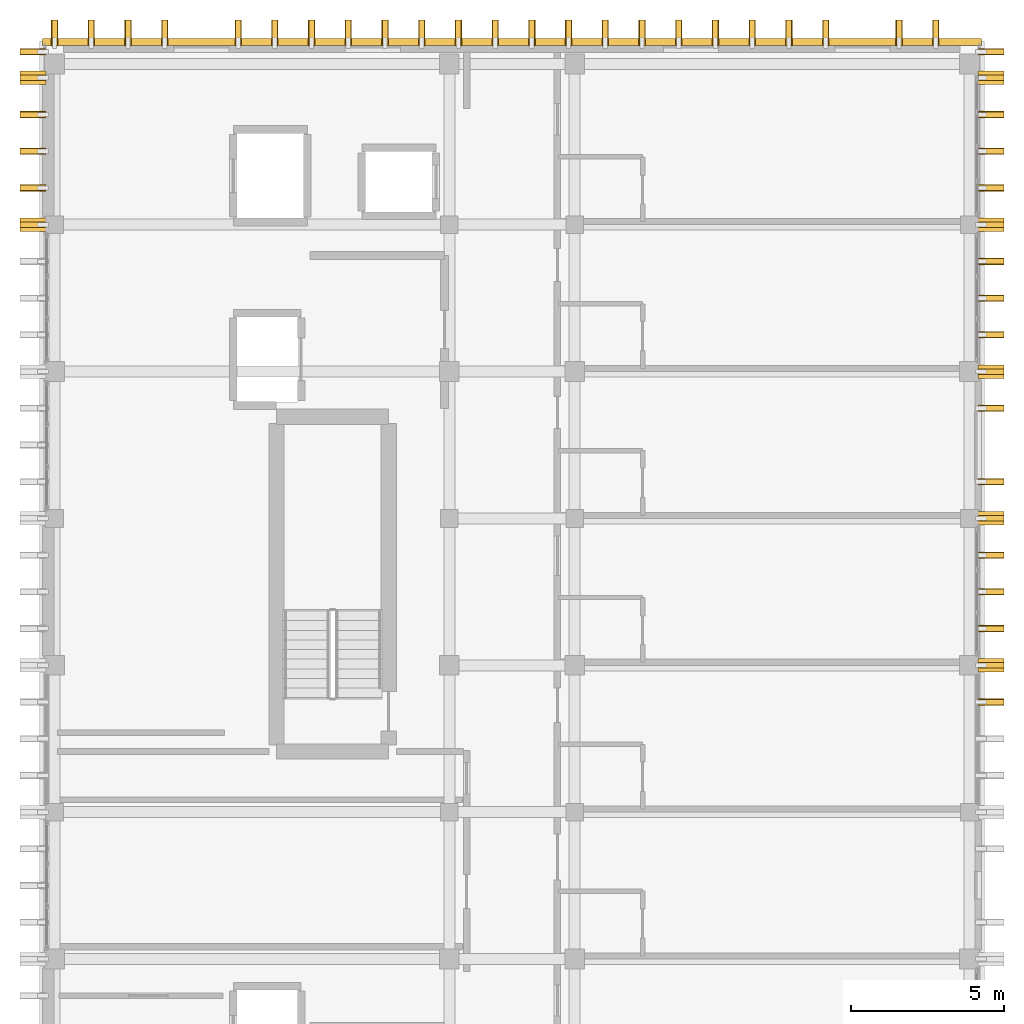
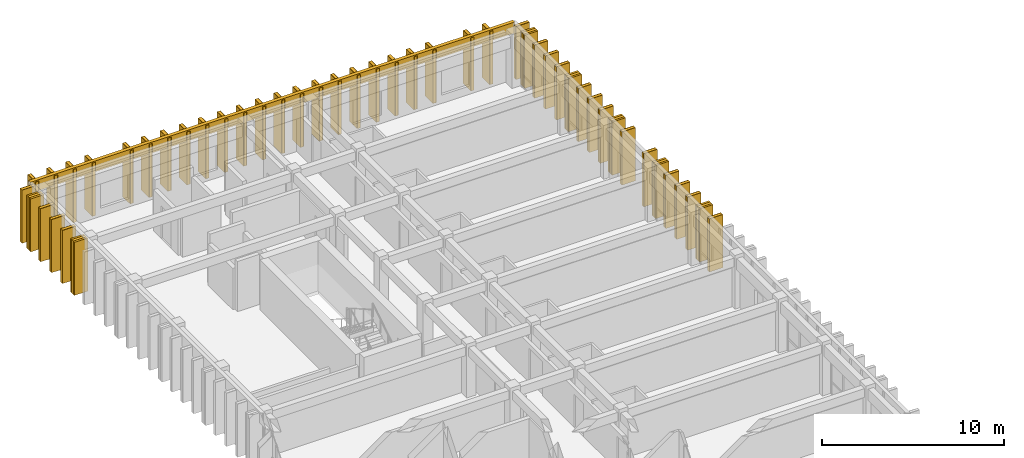
# One storey, part 49 of 49: 48 coverings, 47 shading devices.
"""IFC4 building model written with IfcOpenShell, lengths in metres."""

from ifc_helpers import new_model, si_unit, direction, frame, origin, origin_2d, place, context, subcontext, project, spatial, rectangle, extrude, material, layer, layer_set, type_object, element, save


model = new_model("IFC4")

# Units and contexts
model_context = context("Model", 3, precision=1e-05, world=origin(), true_north=direction((0.0, 1.0)))
body_context = subcontext(model_context, "Body", "Model", "MODEL_VIEW")
ifc_project = project(units=[si_unit("LENGTHUNIT", "METRE"), si_unit("AREAUNIT", "SQUARE_METRE"), si_unit("VOLUMEUNIT", "CUBIC_METRE"), si_unit("PLANEANGLEUNIT", "RADIAN"), si_unit("MASSUNIT", "GRAM", prefix="KILO")], contexts=[model_context])

# Site, building, storey
site_placement = place(None, origin())
site = spatial("IfcSite", under=ifc_project, at=site_placement, CompositionType="ELEMENT")
building_placement = place(site_placement, origin())
building = spatial("IfcBuilding", under=site, at=building_placement, Name="Nakhvara Creek Congress Hotel", CompositionType="ELEMENT")
storey_placement = place(building_placement, frame((0.0, 0.0, 39.0)))
storey = spatial("IfcBuildingStorey", under=building, at=storey_placement, Name="L09", CompositionType="ELEMENT", Elevation=39.0)

# Coverings
ifc_material_1 = material(Name="Honed pale Omani limestone architectural cladding", Category="masonry")
ifc_layer_1 = layer(ifc_material_1, 0.219970703125)
ifc_layer_set_1 = layer_set([ifc_layer_1], Name="Honed pale Omani limestone architectural cladding")
covering_type_1 = type_object("IfcCoveringType", Name="COV-FIN-850", PredefinedType="CLADDING", material=ifc_layer_set_1)
covering_1_placement = place(storey_placement, frame((180.054931640625, 104.39990234375, 0.0), z_axis=(0.0, 0.0, 1.0), x_axis=(0.0, 1.0, 0.0)))
element("IfcCovering", 1, at=covering_1_placement, inside=storey, type_object=covering_type_1, Name="Pale Limestone Fin Cladding CF01-2211", PredefinedType="CLADDING", context=body_context, shape_type="SweptSolid", body=[
    extrude(rectangle(XDim=0.219970703125, YDim=0.85009765625, at=origin_2d()), origin(), (0.0, 0.0, 1.0), 3.56005859375),
])
covering_2_placement = place(storey_placement, frame((180.054931640625, 105.60009765625, 0.0), z_axis=(0.0, 0.0, 1.0), x_axis=(0.0, 1.0, 0.0)))
element("IfcCovering", 2, at=covering_2_placement, inside=storey, type_object=covering_type_1, Name="Pale Limestone Fin Cladding CF01-2213", PredefinedType="CLADDING", context=body_context, shape_type="SweptSolid", body=[
    extrude(rectangle(XDim=0.43994140625, YDim=0.85009765625, at=origin_2d()), origin(), (0.0, 0.0, 1.0), 3.56005859375),
])
for number, where, z_axis, x_axis, name in (
    (3, (180.054931640625, 106.800048828125, 0.0), (0.0, 0.0, 1.0), (0.0, 1.0, 0.0), "Pale Limestone Fin Cladding CF01-2215"),
    (4, (180.054931640625, 108.0, 0.0), (0.0, 0.0, 1.0), (0.0, 1.0, 0.0), "Pale Limestone Fin Cladding CF01-2217"),
    (5, (180.054931640625, 109.199951171875, 0.0), (0.0, 0.0, 1.0), (0.0, 1.0, 0.0), "Pale Limestone Fin Cladding CF01-2219"),
):
    element("IfcCovering", number, at=place(storey_placement, frame(where, z_axis=z_axis, x_axis=x_axis)), inside=storey, type_object=covering_type_1, Name=name, PredefinedType="CLADDING", context=body_context, shape_type="SweptSolid", body=[
        extrude(rectangle(XDim=0.219970703125, YDim=0.85009765625, at=origin_2d()), origin(), (0.0, 0.0, 1.0), 3.56005859375),
    ])
covering_3_placement = place(storey_placement, frame((180.054931640625, 110.39990234375, 0.0), z_axis=(0.0, 0.0, 1.0), x_axis=(0.0, 1.0, 0.0)))
element("IfcCovering", 6, at=covering_3_placement, inside=storey, type_object=covering_type_1, Name="Pale Limestone Fin Cladding CF01-2221", PredefinedType="CLADDING", context=body_context, shape_type="SweptSolid", body=[
    extrude(rectangle(XDim=0.43994140625, YDim=0.85009765625, at=origin_2d()), origin(), (0.0, 0.0, 1.0), 3.56005859375),
])
for number, where, z_axis, x_axis, name in (
    (7, (180.054931640625, 111.60009765625, 0.0), (0.0, 0.0, 1.0), (0.0, 1.0, 0.0), "Pale Limestone Fin Cladding CF01-2223"),
    (8, (180.054931640625, 114.0, 0.0), (0.0, 0.0, 1.0), (0.0, 1.0, 0.0), "Pale Limestone Fin Cladding CF01-2226"),
):
    element("IfcCovering", number, at=place(storey_placement, frame(where, z_axis=z_axis, x_axis=x_axis)), inside=storey, type_object=covering_type_1, Name=name, PredefinedType="CLADDING", context=body_context, shape_type="SweptSolid", body=[
        extrude(rectangle(XDim=0.219970703125, YDim=0.85009765625, at=origin_2d()), origin(), (0.0, 0.0, 1.0), 3.56005859375),
    ])
covering_4_placement = place(storey_placement, frame((180.054931640625, 115.199951171875, 0.0), z_axis=(0.0, 0.0, 1.0), x_axis=(0.0, 1.0, 0.0)))
element("IfcCovering", 9, at=covering_4_placement, inside=storey, type_object=covering_type_1, Name="Pale Limestone Fin Cladding CF01-2228", PredefinedType="CLADDING", context=body_context, shape_type="SweptSolid", body=[
    extrude(rectangle(XDim=0.43994140625, YDim=0.85009765625, at=origin_2d()), origin(), (0.0, 0.0, 1.0), 3.56005859375),
])
for number, where, z_axis, x_axis, name in (
    (10, (180.054931640625, 116.39990234375, 0.0), (0.0, 0.0, 1.0), (0.0, 1.0, 0.0), "Pale Limestone Fin Cladding CF01-2230"),
    (11, (180.054931640625, 117.60009765625, 0.0), (0.0, 0.0, 1.0), (0.0, 1.0, 0.0), "Pale Limestone Fin Cladding CF01-2232"),
    (12, (180.054931640625, 118.800048828125, 0.0), (0.0, 0.0, 1.0), (0.0, 1.0, 0.0), "Pale Limestone Fin Cladding CF01-2234"),
):
    element("IfcCovering", number, at=place(storey_placement, frame(where, z_axis=z_axis, x_axis=x_axis)), inside=storey, type_object=covering_type_1, Name=name, PredefinedType="CLADDING", context=body_context, shape_type="SweptSolid", body=[
        extrude(rectangle(XDim=0.219970703125, YDim=0.85009765625, at=origin_2d()), origin(), (0.0, 0.0, 1.0), 3.56005859375),
    ])
for number, where, z_axis, x_axis, name in (
    (13, (180.054931640625, 120.0, 0.0), (0.0, 0.0, 1.0), (0.0, 1.0, 0.0), "Pale Limestone Fin Cladding CF01-2236"),
    (14, (148.7451171875, 120.0, 0.0), (0.0, 0.0, 1.0), (0.0, 1.0, 0.0), "Pale Limestone Fin Cladding CF01-2237"),
):
    element("IfcCovering", number, at=place(storey_placement, frame(where, z_axis=z_axis, x_axis=x_axis)), inside=storey, type_object=covering_type_1, Name=name, PredefinedType="CLADDING", context=body_context, shape_type="SweptSolid", body=[
        extrude(rectangle(XDim=0.43994140625, YDim=0.85009765625, at=origin_2d()), origin(), (0.0, 0.0, 1.0), 3.56005859375),
    ])
for number, where, z_axis, x_axis, name in (
    (15, (180.054931640625, 121.199951171875, 0.0), (0.0, 0.0, 1.0), (0.0, 1.0, 0.0), "Pale Limestone Fin Cladding CF01-2238"),
    (16, (148.7451171875, 121.199951171875, 0.0), (0.0, 0.0, 1.0), (0.0, 1.0, 0.0), "Pale Limestone Fin Cladding CF01-2239"),
    (17, (180.054931640625, 122.39990234375, 0.0), (0.0, 0.0, 1.0), (0.0, 1.0, 0.0), "Pale Limestone Fin Cladding CF01-2240"),
    (18, (148.7451171875, 122.39990234375, 0.0), (0.0, 0.0, 1.0), (0.0, 1.0, 0.0), "Pale Limestone Fin Cladding CF01-2241"),
    (19, (180.054931640625, 123.60009765625, 0.0), (0.0, 0.0, 1.0), (0.0, 1.0, 0.0), "Pale Limestone Fin Cladding CF01-2242"),
    (20, (148.7451171875, 123.60009765625, 0.0), (0.0, 0.0, 1.0), (0.0, 1.0, 0.0), "Pale Limestone Fin Cladding CF01-2243"),
):
    element("IfcCovering", number, at=place(storey_placement, frame(where, z_axis=z_axis, x_axis=x_axis)), inside=storey, type_object=covering_type_1, Name=name, PredefinedType="CLADDING", context=body_context, shape_type="SweptSolid", body=[
        extrude(rectangle(XDim=0.219970703125, YDim=0.85009765625, at=origin_2d()), origin(), (0.0, 0.0, 1.0), 3.56005859375),
    ])
for number, where, z_axis, x_axis, name in (
    (21, (180.054931640625, 124.800048828125, 0.0), (0.0, 0.0, 1.0), (0.0, 1.0, 0.0), "Pale Limestone Fin Cladding CF01-2244"),
    (22, (148.7451171875, 124.800048828125, 0.0), (0.0, 0.0, 1.0), (0.0, 1.0, 0.0), "Pale Limestone Fin Cladding CF01-2245"),
):
    element("IfcCovering", number, at=place(storey_placement, frame(where, z_axis=z_axis, x_axis=x_axis)), inside=storey, type_object=covering_type_1, Name=name, PredefinedType="CLADDING", context=body_context, shape_type="SweptSolid", body=[
        extrude(rectangle(XDim=0.43994140625, YDim=0.85009765625, at=origin_2d()), origin(), (0.0, 0.0, 1.0), 3.56005859375),
    ])
for number, where, z_axis, x_axis, name in (
    (23, (180.054931640625, 125.64990234375, 0.0), (0.0, 0.0, 1.0), (0.0, 1.0, 0.0), "Pale Limestone Fin Cladding CF01-2246"),
    (24, (148.7451171875, 125.64990234375, 0.0), (0.0, 0.0, 1.0), (0.0, 1.0, 0.0), "Pale Limestone Fin Cladding CF01-2247"),
    (25, (149.449951171875, 126.264892578125, 0.0), (0.0, 0.0, 1.0), (1.0, 0.0, 0.0), "Pale Limestone Fin Cladding CF01-2248"),
    (26, (150.64990234375, 126.264892578125, 0.0), (0.0, 0.0, 1.0), (1.0, 0.0, 0.0), "Pale Limestone Fin Cladding CF01-2250"),
    (27, (151.85009765625, 126.264892578125, 0.0), (0.0, 0.0, 1.0), (1.0, 0.0, 0.0), "Pale Limestone Fin Cladding CF01-2252"),
    (28, (153.050048828125, 126.264892578125, 0.0), (0.0, 0.0, 1.0), (1.0, 0.0, 0.0), "Pale Limestone Fin Cladding CF01-2254"),
    (29, (155.449951171875, 126.264892578125, 0.0), (0.0, 0.0, 1.0), (1.0, 0.0, 0.0), "Pale Limestone Fin Cladding CF01-2256"),
    (30, (156.64990234375, 126.264892578125, 0.0), (0.0, 0.0, 1.0), (1.0, 0.0, 0.0), "Pale Limestone Fin Cladding CF01-2258"),
    (31, (157.85009765625, 126.264892578125, 0.0), (0.0, 0.0, 1.0), (1.0, 0.0, 0.0), "Pale Limestone Fin Cladding CF01-2260"),
    (32, (159.050048828125, 126.264892578125, 0.0), (0.0, 0.0, 1.0), (1.0, 0.0, 0.0), "Pale Limestone Fin Cladding CF01-2262"),
    (33, (160.25, 126.264892578125, 0.0), (0.0, 0.0, 1.0), (1.0, 0.0, 0.0), "Pale Limestone Fin Cladding CF01-2264"),
    (34, (161.449951171875, 126.264892578125, 0.0), (0.0, 0.0, 1.0), (1.0, 0.0, 0.0), "Pale Limestone Fin Cladding CF01-2266"),
    (35, (162.64990234375, 126.264892578125, 0.0), (0.0, 0.0, 1.0), (1.0, 0.0, 0.0), "Pale Limestone Fin Cladding CF01-2268"),
    (36, (163.85009765625, 126.264892578125, 0.0), (0.0, 0.0, 1.0), (1.0, 0.0, 0.0), "Pale Limestone Fin Cladding CF01-2269"),
    (37, (165.050048828125, 126.264892578125, 0.0), (0.0, 0.0, 1.0), (1.0, 0.0, 0.0), "Pale Limestone Fin Cladding CF01-2270"),
    (38, (166.25, 126.264892578125, 0.0), (0.0, 0.0, 1.0), (1.0, 0.0, 0.0), "Pale Limestone Fin Cladding CF01-2272"),
    (39, (167.449951171875, 126.264892578125, 0.0), (0.0, 0.0, 1.0), (1.0, 0.0, 0.0), "Pale Limestone Fin Cladding CF01-2274"),
    (40, (168.64990234375, 126.264892578125, 0.0), (0.0, 0.0, 1.0), (1.0, 0.0, 0.0), "Pale Limestone Fin Cladding CF01-2276"),
    (41, (169.85009765625, 126.264892578125, 0.0), (0.0, 0.0, 1.0), (1.0, 0.0, 0.0), "Pale Limestone Fin Cladding CF01-2277"),
    (42, (171.050048828125, 126.264892578125, 0.0), (0.0, 0.0, 1.0), (1.0, 0.0, 0.0), "Pale Limestone Fin Cladding CF01-2279"),
    (43, (172.25, 126.264892578125, 0.0), (0.0, 0.0, 1.0), (1.0, 0.0, 0.0), "Pale Limestone Fin Cladding CF01-2281"),
    (44, (173.449951171875, 126.264892578125, 0.0), (0.0, 0.0, 1.0), (1.0, 0.0, 0.0), "Pale Limestone Fin Cladding CF01-2283"),
    (45, (174.64990234375, 126.264892578125, 0.0), (0.0, 0.0, 1.0), (1.0, 0.0, 0.0), "Pale Limestone Fin Cladding CF01-2285"),
    (46, (177.050048828125, 126.264892578125, 0.0), (0.0, 0.0, 1.0), (1.0, 0.0, 0.0), "Pale Limestone Fin Cladding CF01-2288"),
    (47, (178.25, 126.264892578125, 0.0), (0.0, 0.0, 1.0), (1.0, 0.0, 0.0), "Pale Limestone Fin Cladding CF01-2290"),
):
    element("IfcCovering", number, at=place(storey_placement, frame(where, z_axis=z_axis, x_axis=x_axis)), inside=storey, type_object=covering_type_1, Name=name, PredefinedType="CLADDING", context=body_context, shape_type="SweptSolid", body=[
        extrude(rectangle(XDim=0.219970703125, YDim=0.85009765625, at=origin_2d()), origin(), (0.0, 0.0, 1.0), 3.56005859375),
    ])
ifc_layer_2 = layer(ifc_material_1, 0.179931640625)
ifc_layer_set_2 = layer_set([ifc_layer_2], Name="Honed pale Omani limestone architectural cladding")
covering_type_2 = type_object("IfcCoveringType", Name="COV-SPN-180", PredefinedType="CLADDING", material=ifc_layer_set_2)
covering_5_placement = place(storey_placement, frame((164.39990234375, 125.969970703125, 2.909912109375), z_axis=(0.0, 0.0, 1.0), x_axis=(1.0, 0.0, 0.0)))
element("IfcCovering", 48, at=covering_5_placement, inside=storey, type_object=covering_type_2, Name="Pale Limestone Spandrel Band CF02-0079", PredefinedType="CLADDING", context=body_context, shape_type="SweptSolid", body=[
    extrude(rectangle(XDim=30.699951171875, YDim=0.219970703125, at=origin_2d()), origin(), (0.0, 0.0, 1.0), 0.72998046875),
])

# Shading devices
ifc_material_2 = material(Name="Honed pale Omani limestone cladding on stainless steel spine", Category="masonry")
shading_device_type = type_object("IfcShadingDeviceType", Name="SHD-FIN-850X3600", PredefinedType="USERDEFINED", material=ifc_material_2)
for number, where, z_axis, x_axis, name in (
    (49, (180.054931640625, 104.39990234375, 0.0), (0.0, 0.0, 1.0), (0.0, 1.0, 0.0), "Limestone Solar Fin FN01-2076"),
    (50, (180.054931640625, 105.60009765625, 0.0), (0.0, 0.0, 1.0), (0.0, 1.0, 0.0), "Limestone Solar Fin FN01-2078"),
    (51, (180.054931640625, 106.800048828125, 0.0), (0.0, 0.0, 1.0), (0.0, 1.0, 0.0), "Limestone Solar Fin FN01-2080"),
    (52, (180.054931640625, 108.0, 0.0), (0.0, 0.0, 1.0), (0.0, 1.0, 0.0), "Limestone Solar Fin FN01-2082"),
    (53, (180.054931640625, 109.199951171875, 0.0), (0.0, 0.0, 1.0), (0.0, 1.0, 0.0), "Limestone Solar Fin FN01-2084"),
    (54, (180.054931640625, 110.39990234375, 0.0), (0.0, 0.0, 1.0), (0.0, 1.0, 0.0), "Limestone Solar Fin FN01-2086"),
    (55, (180.054931640625, 111.60009765625, 0.0), (0.0, 0.0, 1.0), (0.0, 1.0, 0.0), "Limestone Solar Fin FN01-2088"),
    (56, (180.054931640625, 114.0, 0.0), (0.0, 0.0, 1.0), (0.0, 1.0, 0.0), "Limestone Solar Fin FN01-2091"),
    (57, (180.054931640625, 115.199951171875, 0.0), (0.0, 0.0, 1.0), (0.0, 1.0, 0.0), "Limestone Solar Fin FN01-2093"),
    (58, (180.054931640625, 116.39990234375, 0.0), (0.0, 0.0, 1.0), (0.0, 1.0, 0.0), "Limestone Solar Fin FN01-2095"),
    (59, (180.054931640625, 117.60009765625, 0.0), (0.0, 0.0, 1.0), (0.0, 1.0, 0.0), "Limestone Solar Fin FN01-2097"),
    (60, (180.054931640625, 118.800048828125, 0.0), (0.0, 0.0, 1.0), (0.0, 1.0, 0.0), "Limestone Solar Fin FN01-2099"),
    (61, (180.054931640625, 120.0, 0.0), (0.0, 0.0, 1.0), (0.0, 1.0, 0.0), "Limestone Solar Fin FN01-2101"),
    (62, (148.7451171875, 120.0, 0.0), (0.0, 0.0, 1.0), (0.0, 1.0, 0.0), "Limestone Solar Fin FN01-2102"),
    (63, (180.054931640625, 121.199951171875, 0.0), (0.0, 0.0, 1.0), (0.0, 1.0, 0.0), "Limestone Solar Fin FN01-2103"),
    (64, (148.7451171875, 121.199951171875, 0.0), (0.0, 0.0, 1.0), (0.0, 1.0, 0.0), "Limestone Solar Fin FN01-2104"),
    (65, (180.054931640625, 122.39990234375, 0.0), (0.0, 0.0, 1.0), (0.0, 1.0, 0.0), "Limestone Solar Fin FN01-2105"),
    (66, (148.7451171875, 122.39990234375, 0.0), (0.0, 0.0, 1.0), (0.0, 1.0, 0.0), "Limestone Solar Fin FN01-2106"),
    (67, (180.054931640625, 123.60009765625, 0.0), (0.0, 0.0, 1.0), (0.0, 1.0, 0.0), "Limestone Solar Fin FN01-2107"),
    (68, (148.7451171875, 123.60009765625, 0.0), (0.0, 0.0, 1.0), (0.0, 1.0, 0.0), "Limestone Solar Fin FN01-2108"),
    (69, (180.054931640625, 124.800048828125, 0.0), (0.0, 0.0, 1.0), (0.0, 1.0, 0.0), "Limestone Solar Fin FN01-2109"),
    (70, (148.7451171875, 124.800048828125, 0.0), (0.0, 0.0, 1.0), (0.0, 1.0, 0.0), "Limestone Solar Fin FN01-2110"),
    (71, (180.054931640625, 125.64990234375, 0.0), (0.0, 0.0, 1.0), (0.0, 1.0, 0.0), "Limestone Solar Fin FN01-2111"),
    (72, (148.7451171875, 125.64990234375, 0.0), (0.0, 0.0, 1.0), (0.0, 1.0, 0.0), "Limestone Solar Fin FN01-2112"),
    (73, (149.449951171875, 126.264892578125, 0.0), (0.0, 0.0, 1.0), (1.0, 0.0, 0.0), "Limestone Solar Fin FN01-2113"),
    (74, (150.64990234375, 126.264892578125, 0.0), (0.0, 0.0, 1.0), (1.0, 0.0, 0.0), "Limestone Solar Fin FN01-2115"),
    (75, (151.85009765625, 126.264892578125, 0.0), (0.0, 0.0, 1.0), (1.0, 0.0, 0.0), "Limestone Solar Fin FN01-2117"),
    (76, (153.050048828125, 126.264892578125, 0.0), (0.0, 0.0, 1.0), (1.0, 0.0, 0.0), "Limestone Solar Fin FN01-2119"),
    (77, (155.449951171875, 126.264892578125, 0.0), (0.0, 0.0, 1.0), (1.0, 0.0, 0.0), "Limestone Solar Fin FN01-2121"),
    (78, (156.64990234375, 126.264892578125, 0.0), (0.0, 0.0, 1.0), (1.0, 0.0, 0.0), "Limestone Solar Fin FN01-2123"),
    (79, (157.85009765625, 126.264892578125, 0.0), (0.0, 0.0, 1.0), (1.0, 0.0, 0.0), "Limestone Solar Fin FN01-2125"),
    (80, (159.050048828125, 126.264892578125, 0.0), (0.0, 0.0, 1.0), (1.0, 0.0, 0.0), "Limestone Solar Fin FN01-2127"),
    (81, (160.25, 126.264892578125, 0.0), (0.0, 0.0, 1.0), (1.0, 0.0, 0.0), "Limestone Solar Fin FN01-2129"),
    (82, (161.449951171875, 126.264892578125, 0.0), (0.0, 0.0, 1.0), (1.0, 0.0, 0.0), "Limestone Solar Fin FN01-2131"),
    (83, (162.64990234375, 126.264892578125, 0.0), (0.0, 0.0, 1.0), (1.0, 0.0, 0.0), "Limestone Solar Fin FN01-2133"),
    (84, (163.85009765625, 126.264892578125, 0.0), (0.0, 0.0, 1.0), (1.0, 0.0, 0.0), "Limestone Solar Fin FN01-2134"),
    (85, (165.050048828125, 126.264892578125, 0.0), (0.0, 0.0, 1.0), (1.0, 0.0, 0.0), "Limestone Solar Fin FN01-2135"),
    (86, (166.25, 126.264892578125, 0.0), (0.0, 0.0, 1.0), (1.0, 0.0, 0.0), "Limestone Solar Fin FN01-2137"),
    (87, (167.449951171875, 126.264892578125, 0.0), (0.0, 0.0, 1.0), (1.0, 0.0, 0.0), "Limestone Solar Fin FN01-2139"),
    (88, (168.64990234375, 126.264892578125, 0.0), (0.0, 0.0, 1.0), (1.0, 0.0, 0.0), "Limestone Solar Fin FN01-2141"),
    (89, (169.85009765625, 126.264892578125, 0.0), (0.0, 0.0, 1.0), (1.0, 0.0, 0.0), "Limestone Solar Fin FN01-2142"),
    (90, (171.050048828125, 126.264892578125, 0.0), (0.0, 0.0, 1.0), (1.0, 0.0, 0.0), "Limestone Solar Fin FN01-2144"),
    (91, (172.25, 126.264892578125, 0.0), (0.0, 0.0, 1.0), (1.0, 0.0, 0.0), "Limestone Solar Fin FN01-2146"),
    (92, (173.449951171875, 126.264892578125, 0.0), (0.0, 0.0, 1.0), (1.0, 0.0, 0.0), "Limestone Solar Fin FN01-2148"),
    (93, (174.64990234375, 126.264892578125, 0.0), (0.0, 0.0, 1.0), (1.0, 0.0, 0.0), "Limestone Solar Fin FN01-2150"),
    (94, (177.050048828125, 126.264892578125, 0.0), (0.0, 0.0, 1.0), (1.0, 0.0, 0.0), "Limestone Solar Fin FN01-2153"),
    (95, (178.25, 126.264892578125, 0.0), (0.0, 0.0, 1.0), (1.0, 0.0, 0.0), "Limestone Solar Fin FN01-2155"),
):
    element("IfcShadingDevice", number, at=place(storey_placement, frame(where, z_axis=z_axis, x_axis=x_axis)), inside=storey, type_object=shading_device_type, Name=name, ObjectType="FIN", PredefinedType="USERDEFINED", context=body_context, shape_type="SweptSolid", body=[
        extrude(rectangle(XDim=0.179931640625, YDim=0.85009765625, at=origin_2d()), origin(), (0.0, 0.0, 1.0), 3.56005859375),
    ])

save(model, "model.ifc")
